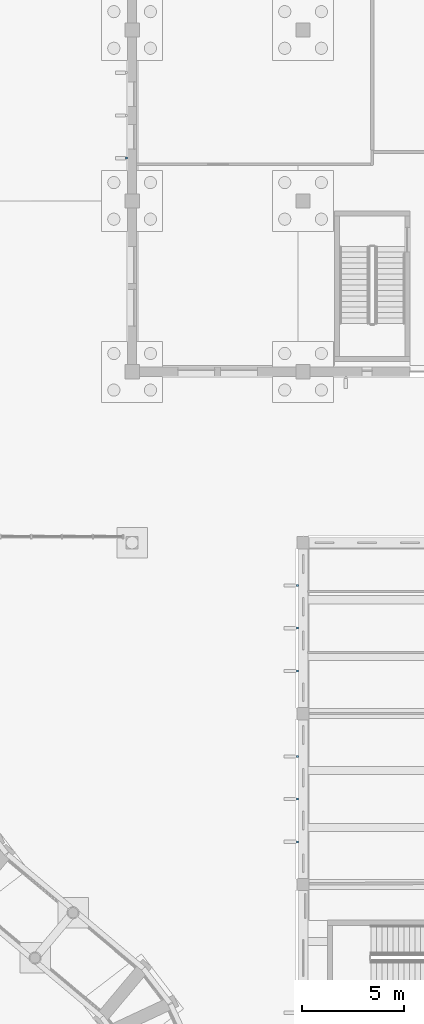
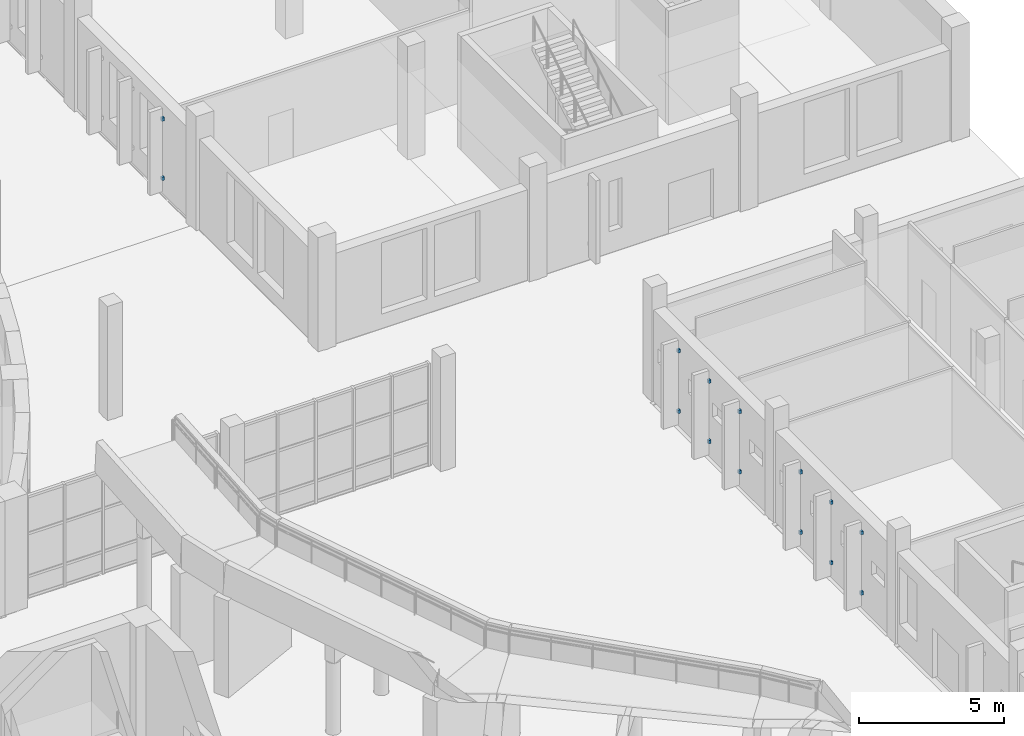
# One storey, part 75 of 110: 14 discrete accessories.
"""IFC4 building model written with IfcOpenShell, lengths in metres."""

from ifc_helpers import new_model, si_unit, direction, frame, origin, origin_2d, place, context, subcontext, project, spatial, rectangle, extrude, material, layer, layer_set, type_object, element, save


model = new_model("IFC4")

# Units and contexts
model_context = context("Model", 3, precision=1e-05, world=origin(), true_north=direction((0.0, 1.0)))
body_context = subcontext(model_context, "Body", "Model", "MODEL_VIEW")
ifc_project = project(units=[si_unit("LENGTHUNIT", "METRE"), si_unit("AREAUNIT", "SQUARE_METRE"), si_unit("VOLUMEUNIT", "CUBIC_METRE"), si_unit("PLANEANGLEUNIT", "RADIAN"), si_unit("MASSUNIT", "GRAM", prefix="KILO")], contexts=[model_context])

# Site, building, storey
site_placement = place(None, origin())
site = spatial("IfcSite", under=ifc_project, at=site_placement, CompositionType="ELEMENT")
building_placement = place(site_placement, origin())
building = spatial("IfcBuilding", under=site, at=building_placement, Name="Larchfold Concert Hall", CompositionType="ELEMENT")
storey_placement = place(building_placement, origin())
storey = spatial("IfcBuildingStorey", under=building, at=storey_placement, Name="L00", CompositionType="ELEMENT", Elevation=0.0)

# Discrete accessories
ifc_material = material(Name="Steel S355 galvanised bracket", Category="steel")
ifc_layer = layer(ifc_material, 0.10009765625)
ifc_layer_set = layer_set([ifc_layer], Name="Steel S355 galvanised bracket")
discrete_accessory_type = type_object("IfcDiscreteAccessoryType", Name="Fin support bracket", PredefinedType="BRACKET", material=ifc_layer_set)
for number, where, z_axis, x_axis, name in (
    (1, (75.925048828125, 78.300048828125, 0.6298828125), (0.0, 0.0, 1.0), (-1.0, 0.0, 0.0), "Fin bracket FN-L00-026-1"),
    (2, (75.925048828125, 78.300048828125, 3.1298828125), (0.0, 0.0, 1.0), (-1.0, 0.0, 0.0), "Fin bracket FN-L00-026-2"),
    (3, (84.3251953125, 53.10009765625, 0.6298828125), (0.0, 0.0, 1.0), (-1.0, 0.0, 0.0), "Fin bracket FN-L00-034-1"),
    (4, (84.3251953125, 53.10009765625, 3.169921875), (0.0, 0.0, 1.0), (-1.0, 0.0, 0.0), "Fin bracket FN-L00-034-2"),
    (5, (84.3251953125, 55.199951171875, 0.6298828125), (0.0, 0.0, 1.0), (-1.0, 0.0, 0.0), "Fin bracket FN-L00-035-1"),
    (6, (84.3251953125, 55.199951171875, 3.169921875), (0.0, 0.0, 1.0), (-1.0, 0.0, 0.0), "Fin bracket FN-L00-035-2"),
    (7, (84.3251953125, 57.300048828125, 0.6298828125), (0.0, 0.0, 1.0), (-1.0, 0.0, 0.0), "Fin bracket FN-L00-036-1"),
    (8, (84.3251953125, 57.300048828125, 3.169921875), (0.0, 0.0, 1.0), (-1.0, 0.0, 0.0), "Fin bracket FN-L00-036-2"),
    (9, (84.3251953125, 44.699951171875, 0.6298828125), (0.0, 0.0, 1.0), (-1.0, 0.0, 0.0), "Fin bracket FN-L00-037-1"),
    (10, (84.3251953125, 44.699951171875, 3.169921875), (0.0, 0.0, 1.0), (-1.0, 0.0, 0.0), "Fin bracket FN-L00-037-2"),
    (11, (84.3251953125, 46.800048828125, 0.6298828125), (0.0, 0.0, 1.0), (-1.0, 0.0, 0.0), "Fin bracket FN-L00-038-1"),
    (12, (84.3251953125, 46.800048828125, 3.169921875), (0.0, 0.0, 1.0), (-1.0, 0.0, 0.0), "Fin bracket FN-L00-038-2"),
    (13, (84.3251953125, 48.89990234375, 0.6298828125), (0.0, 0.0, 1.0), (-1.0, 0.0, 0.0), "Fin bracket FN-L00-039-1"),
    (14, (84.3251953125, 48.89990234375, 3.169921875), (0.0, 0.0, 1.0), (-1.0, 0.0, 0.0), "Fin bracket FN-L00-039-2"),
):
    element("IfcDiscreteAccessory", number, at=place(storey_placement, frame(where, z_axis=z_axis, x_axis=x_axis)), inside=storey, type_object=discrete_accessory_type, Name=name, PredefinedType="BRACKET", context=body_context, shape_type="SweptSolid", body=[
        extrude(rectangle(XDim=0.10009765625, YDim=0.10009765625, at=origin_2d()), origin(), (0.0, 0.0, 1.0), 0.139892578125),
    ])

save(model, "model.ifc")
